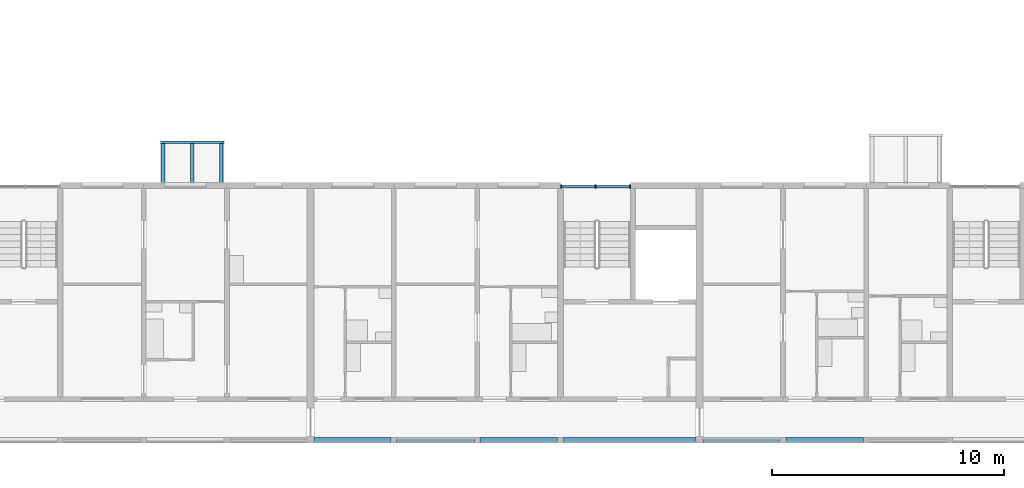
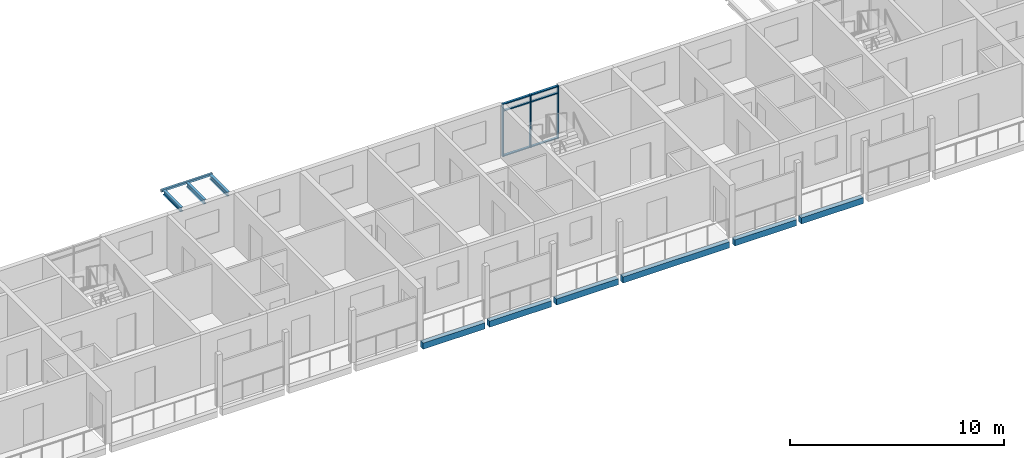
# One storey, part 15 of 94: 10 beams, 9 members, 1 element without a shape of its own.
"""IFC4 building model written with IfcOpenShell, lengths in metres."""

from ifc_helpers import new_model, si_unit, direction, frame, origin, origin_2d, place, context, subcontext, project, spatial, rectangle, hollow_rectangle, i_section, extrude, material, material_profile, profile_set, type_object, element, aggregate, save


model = new_model("IFC4")

# Units and contexts
model_context = context("Model", 3, precision=1e-05, world=origin(), true_north=direction((0.0, 1.0)))
body_context = subcontext(model_context, "Body", "Model", "MODEL_VIEW")
ifc_project = project(units=[si_unit("LENGTHUNIT", "METRE"), si_unit("AREAUNIT", "SQUARE_METRE"), si_unit("VOLUMEUNIT", "CUBIC_METRE"), si_unit("PLANEANGLEUNIT", "RADIAN"), si_unit("MASSUNIT", "GRAM", prefix="KILO")], contexts=[model_context])

# Site, building, storey
site_placement = place(None, origin())
site = spatial("IfcSite", under=ifc_project, at=site_placement, CompositionType="ELEMENT")
building_placement = place(site_placement, origin())
building = spatial("IfcBuilding", under=site, at=building_placement, Name="Ridgestep Commons", CompositionType="ELEMENT")
storey_placement = place(building_placement, frame((0.0, 0.0, 21.0)))
storey = spatial("IfcBuildingStorey", under=building, at=storey_placement, Name="L07", CompositionType="ELEMENT", Elevation=21.0)

# Beams
ifc_material_1 = material(Name="Precast concrete C40/50", Category="concrete")
ifc_material_profile_1 = material_profile(ifc_material_1, rectangle(XDim=0.25, YDim=0.35009765625, at=origin_2d()), Name="PC 250x350")
ifc_profile_set_1 = profile_set([ifc_material_profile_1], Name="Precast concrete C40/50")
beam_type_1 = type_object("IfcBeamType", Name="Loggia edge beam 250 x 350", PredefinedType="SPANDREL", material=ifc_profile_set_1)
beam_1_placement = place(storey_placement, frame((180.550048828125, 11.875, -0.375), z_axis=(1.0, 0.0, 0.0), x_axis=(0.0, 1.0, 0.0)))
element("IfcBeam", 1, at=beam_1_placement, inside=storey, type_object=beam_type_1, Name="Loggia edge beam D3T1 L07", PredefinedType="SPANDREL", context=body_context, shape_type="SweptSolid", body=[
    extrude(rectangle(XDim=0.25, YDim=0.35009765625, at=origin_2d()), origin(), (0.0, 0.0, 1.0), 3.324951171875),
])
beam_2_placement = place(storey_placement, frame((184.125, 11.875, -0.375), z_axis=(1.0, 0.0, 0.0), x_axis=(0.0, 1.0, 0.0)))
element("IfcBeam", 2, at=beam_2_placement, inside=storey, type_object=beam_type_1, Name="Loggia edge beam D3T2 L07", PredefinedType="SPANDREL", context=body_context, shape_type="SweptSolid", body=[
    extrude(rectangle(XDim=0.25, YDim=0.35009765625, at=origin_2d()), origin(), (0.0, 0.0, 1.0), 3.35009765625),
])
beam_3_placement = place(storey_placement, frame((187.72509765625, 11.875, -0.375), z_axis=(1.0, 0.0, 0.0), x_axis=(0.0, 1.0, 0.0)))
element("IfcBeam", 3, at=beam_3_placement, inside=storey, type_object=beam_type_1, Name="Loggia edge beam D3T3 L07", PredefinedType="SPANDREL", context=body_context, shape_type="SweptSolid", body=[
    extrude(rectangle(XDim=0.25, YDim=0.35009765625, at=origin_2d()), origin(), (0.0, 0.0, 1.0), 3.349853515625),
])
beam_4_placement = place(storey_placement, frame((191.324951171875, 11.875, -0.375), z_axis=(1.0, 0.0, 0.0), x_axis=(0.0, 1.0, 0.0)))
element("IfcBeam", 4, at=beam_4_placement, inside=storey, type_object=beam_type_1, Name="Loggia edge beam D3C L07", PredefinedType="SPANDREL", context=body_context, shape_type="SweptSolid", body=[
    extrude(rectangle(XDim=0.25, YDim=0.35009765625, at=origin_2d()), origin(), (0.0, 0.0, 1.0), 5.72509765625),
])
beam_5_placement = place(storey_placement, frame((197.35009765625, 11.875, -0.375), z_axis=(1.0, 0.0, 0.0), x_axis=(0.0, 1.0, 0.0)))
element("IfcBeam", 5, at=beam_5_placement, inside=storey, type_object=beam_type_1, Name="Loggia edge beam D4T1 L07", PredefinedType="SPANDREL", context=body_context, shape_type="SweptSolid", body=[
    extrude(rectangle(XDim=0.25, YDim=0.35009765625, at=origin_2d()), origin(), (0.0, 0.0, 1.0), 3.324951171875),
])
beam_6_placement = place(storey_placement, frame((200.925048828125, 11.875, -0.375), z_axis=(1.0, 0.0, 0.0), x_axis=(0.0, 1.0, 0.0)))
element("IfcBeam", 6, at=beam_6_placement, inside=storey, type_object=beam_type_1, Name="Loggia edge beam D4T2 L07", PredefinedType="SPANDREL", context=body_context, shape_type="SweptSolid", body=[
    extrude(rectangle(XDim=0.25, YDim=0.35009765625, at=origin_2d()), origin(), (0.0, 0.0, 1.0), 3.349853515625),
])

# Curtain wall, members
ifc_material_2 = material(Name="Aluminium 6063-T6 and glass", Category="aluminium")
curtain_wall_type = type_object("IfcCurtainWallType", Name="Curtain wall stair strip", PredefinedType="NOTDEFINED", material=ifc_material_2)
curtain_wall_placement = place(storey_placement, origin())
curtain_wall = element("IfcCurtainWall", 7, at=curtain_wall_placement, inside=storey, type_object=curtain_wall_type, Name="Curtain wall D3C level 07", PredefinedType="NOTDEFINED")
ifc_material_3 = material(Name="Aluminium 6063-T6", Category="aluminium")
ifc_material_profile_2 = material_profile(ifc_material_3, rectangle(XDim=0.159912109375, YDim=0.06005859375, at=origin_2d()), Name="Mullion 60 x 160")
ifc_profile_set_2 = profile_set([ifc_material_profile_2], Name="Aluminium 6063-T6")
member_type_1 = type_object("IfcMemberType", Name="Mullion 60 x 160", PredefinedType="MULLION", material=ifc_profile_set_2)
member_1_placement = place(storey_placement, frame((191.22998046875, 22.830078125, 0.0), z_axis=(0.0, 0.0, 1.0), x_axis=(0.0, 1.0, 0.0)))
member_1 = element("IfcMember", 8, at=member_1_placement, type_object=member_type_1, Name="CW1 mullion 1", PredefinedType="MULLION", context=body_context, shape_type="SweptSolid", body=[
    extrude(rectangle(XDim=0.159912109375, YDim=0.06005859375, at=origin_2d()), origin(), (0.0, 0.0, 1.0), 3.0),
])
member_2_placement = place(storey_placement, frame((192.71240234375, 22.830078125, 0.0), z_axis=(0.0, 0.0, 1.0), x_axis=(0.0, 1.0, 0.0)))
member_2 = element("IfcMember", 9, at=member_2_placement, type_object=member_type_1, Name="CW1 mullion 2", PredefinedType="MULLION", context=body_context, shape_type="SweptSolid", body=[
    extrude(rectangle(XDim=0.159912109375, YDim=0.06005859375, at=origin_2d()), origin(), (0.0, 0.0, 1.0), 3.0),
])
member_3_placement = place(storey_placement, frame((194.195068359375, 22.830078125, 0.0), z_axis=(0.0, 0.0, 1.0), x_axis=(0.0, 1.0, 0.0)))
member_3 = element("IfcMember", 10, at=member_3_placement, type_object=member_type_1, Name="CW1 mullion 3", PredefinedType="MULLION", context=body_context, shape_type="SweptSolid", body=[
    extrude(rectangle(XDim=0.159912109375, YDim=0.06005859375, at=origin_2d()), origin(), (0.0, 0.0, 1.0), 3.0),
])
ifc_material_4 = material(Name="Aluminium 6063-T6", Category="aluminium")
ifc_material_profile_3 = material_profile(ifc_material_4, rectangle(XDim=0.1201171875, YDim=0.06005859375, at=origin_2d()), Name="Transom 60 x 120")
ifc_profile_set_3 = profile_set([ifc_material_profile_3], Name="Aluminium 6063-T6")
member_type_2 = type_object("IfcMemberType", Name="Transom 60 x 120", PredefinedType="USERDEFINED", material=ifc_profile_set_3)
member_4_placement = place(storey_placement, frame((191.260009765625, 22.830078125, 0.030029296875), z_axis=(1.0, 0.0, 0.0), x_axis=(0.0, 1.0, 0.0)))
member_4 = element("IfcMember", 11, at=member_4_placement, type_object=member_type_2, Name="CW1 transom 1.1", ObjectType="TRANSOM", PredefinedType="USERDEFINED", context=body_context, shape_type="SweptSolid", body=[
    extrude(rectangle(XDim=0.1201171875, YDim=0.06005859375, at=origin_2d()), origin(), (0.0, 0.0, 1.0), 1.422607421875),
])
member_5_placement = place(storey_placement, frame((191.260009765625, 22.830078125, 2.590087890625), z_axis=(1.0, 0.0, 0.0), x_axis=(0.0, 1.0, 0.0)))
member_5 = element("IfcMember", 12, at=member_5_placement, type_object=member_type_2, Name="CW1 transom 1.2", ObjectType="TRANSOM", PredefinedType="USERDEFINED", context=body_context, shape_type="SweptSolid", body=[
    extrude(rectangle(XDim=0.1201171875, YDim=0.06005859375, at=origin_2d()), origin(), (0.0, 0.0, 1.0), 1.422607421875),
])
member_6_placement = place(storey_placement, frame((191.260009765625, 22.830078125, 2.969970703125), z_axis=(1.0, 0.0, 0.0), x_axis=(0.0, 1.0, 0.0)))
member_6 = element("IfcMember", 13, at=member_6_placement, type_object=member_type_2, Name="CW1 transom 1.3", ObjectType="TRANSOM", PredefinedType="USERDEFINED", context=body_context, shape_type="SweptSolid", body=[
    extrude(rectangle(XDim=0.1201171875, YDim=0.06005859375, at=origin_2d()), origin(), (0.0, 0.0, 1.0), 1.422607421875),
])
member_7_placement = place(storey_placement, frame((192.742431640625, 22.830078125, 0.030029296875), z_axis=(1.0, 0.0, 0.0), x_axis=(0.0, 1.0, 0.0)))
member_7 = element("IfcMember", 14, at=member_7_placement, type_object=member_type_2, Name="CW1 transom 2.1", ObjectType="TRANSOM", PredefinedType="USERDEFINED", context=body_context, shape_type="SweptSolid", body=[
    extrude(rectangle(XDim=0.1201171875, YDim=0.06005859375, at=origin_2d()), origin(), (0.0, 0.0, 1.0), 1.422607421875),
])
member_8_placement = place(storey_placement, frame((192.742431640625, 22.830078125, 2.590087890625), z_axis=(1.0, 0.0, 0.0), x_axis=(0.0, 1.0, 0.0)))
member_8 = element("IfcMember", 15, at=member_8_placement, type_object=member_type_2, Name="CW1 transom 2.2", ObjectType="TRANSOM", PredefinedType="USERDEFINED", context=body_context, shape_type="SweptSolid", body=[
    extrude(rectangle(XDim=0.1201171875, YDim=0.06005859375, at=origin_2d()), origin(), (0.0, 0.0, 1.0), 1.422607421875),
])
member_9_placement = place(storey_placement, frame((192.742431640625, 22.830078125, 2.969970703125), z_axis=(1.0, 0.0, 0.0), x_axis=(0.0, 1.0, 0.0)))
member_9 = element("IfcMember", 16, at=member_9_placement, type_object=member_type_2, Name="CW1 transom 2.3", ObjectType="TRANSOM", PredefinedType="USERDEFINED", context=body_context, shape_type="SweptSolid", body=[
    extrude(rectangle(XDim=0.1201171875, YDim=0.06005859375, at=origin_2d()), origin(), (0.0, 0.0, 1.0), 1.422607421875),
])
aggregate(curtain_wall, [member_1, member_2, member_3, member_4, member_5, member_6, member_7, member_8, member_9])

# Beams
ifc_material_5 = material(Name="Weathering steel S355J2W", Category="steel")
ifc_material_profile_4 = material_profile(ifc_material_5, i_section(OverallWidth=0.14599609375, OverallDepth=0.25146484375, WebThickness=0.006103515625, FlangeThickness=0.008544921875, FilletRadius=0.007568359375, at=origin_2d()), Name="UB 254x146x31")
ifc_profile_set_4 = profile_set([ifc_material_profile_4], Name="Weathering steel S355J2W")
beam_type_2 = type_object("IfcBeamType", Name="Tray arm UB 254x146x31", PredefinedType="BEAM", material=ifc_profile_set_4)
for number, where, z_axis, x_axis, name in (
    (17, (174.050048828125, 23.014892578125, 2.8642578125), (0.0, 1.0, 0.0), (-1.0, 0.0, 0.0), "Tray arm D2T2-08.1"),
    (18, (175.300048828125, 23.014892578125, 2.8642578125), (0.0, 1.0, 0.0), (-1.0, 0.0, 0.0), "Tray arm D2T2-08.2"),
    (19, (176.550048828125, 23.014892578125, 2.8642578125), (0.0, 1.0, 0.0), (-1.0, 0.0, 0.0), "Tray arm D2T2-08.3"),
):
    element("IfcBeam", number, at=place(storey_placement, frame(where, z_axis=z_axis, x_axis=x_axis)), inside=storey, type_object=beam_type_2, Name=name, PredefinedType="BEAM", context=body_context, shape_type="SweptSolid", body=[
        extrude(i_section(OverallWidth=0.14599609375, OverallDepth=0.25146484375, WebThickness=0.006103515625, FlangeThickness=0.008544921875, FilletRadius=0.007568359375, at=origin_2d()), origin(), (0.0, 0.0, 1.0), 1.6650390625),
    ])
ifc_material_6 = material(Name="Weathering steel S355J2W", Category="steel")
ifc_material_profile_5 = material_profile(ifc_material_6, hollow_rectangle(XDim=0.1201171875, YDim=0.1201171875, WallThickness=0.00634765625, InnerFilletRadius=0.00634765625, OuterFilletRadius=0.009521484375, at=origin_2d()), Name="SHS 120x120x6.3")
ifc_profile_set_5 = profile_set([ifc_material_profile_5], Name="Weathering steel S355J2W")
beam_type_3 = type_object("IfcBeamType", Name="Tray edge member SHS 120x120x6.3", PredefinedType="BEAM", material=ifc_profile_set_5)
beam_7_placement = place(storey_placement, frame((173.929931640625, 24.739990234375, 2.929931640625), z_axis=(1.0, 0.0, 0.0), x_axis=(0.0, 0.0, 1.0)))
element("IfcBeam", 20, at=beam_7_placement, inside=storey, type_object=beam_type_3, Name="Tray edge member D2T2-08", PredefinedType="BEAM", context=body_context, shape_type="SweptSolid", body=[
    extrude(hollow_rectangle(XDim=0.1201171875, YDim=0.1201171875, WallThickness=0.00634765625, InnerFilletRadius=0.00634765625, OuterFilletRadius=0.009521484375, at=origin_2d()), origin(), (0.0, 0.0, 1.0), 2.739990234375),
])

save(model, "model.ifc")
